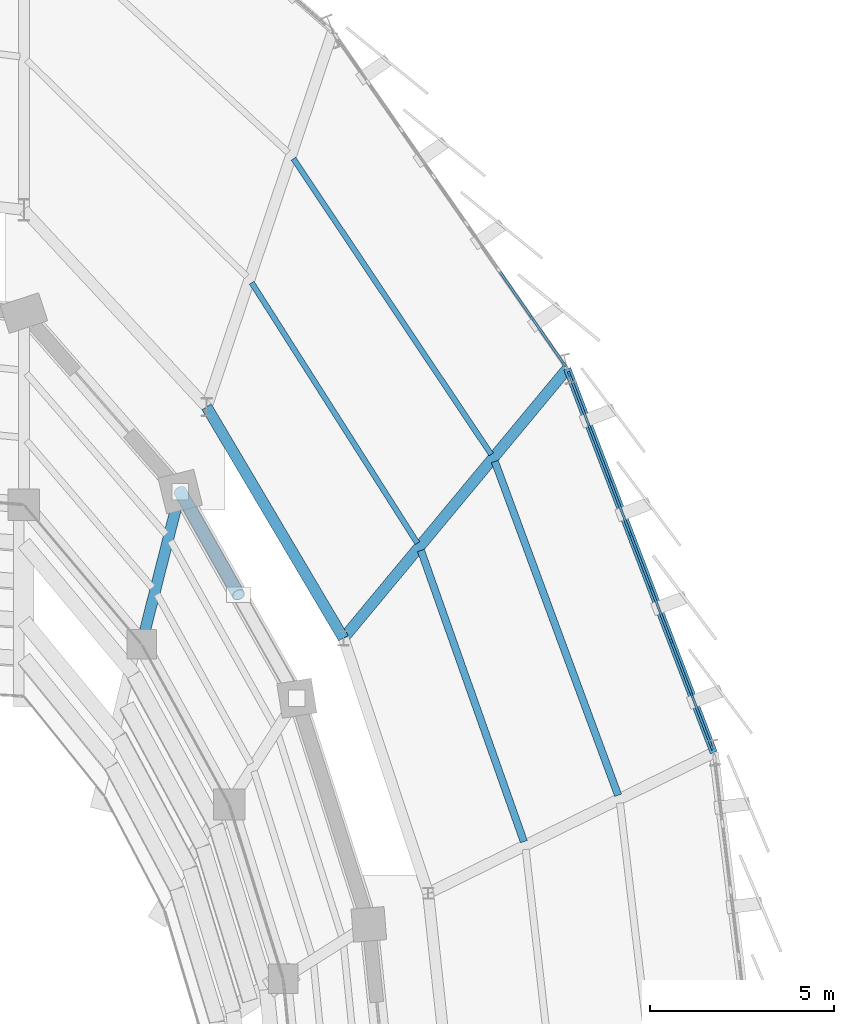
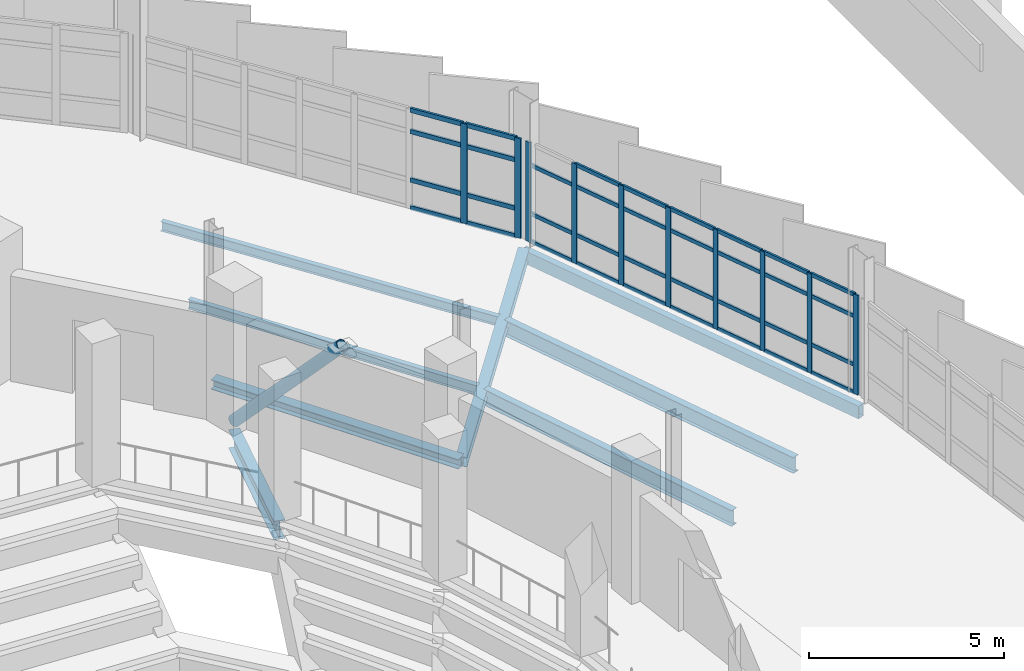
# One storey, part 74 of 134: 46 members, 8 beams, 2 elements without a shape of their own.
"""IFC4 building model written with IfcOpenShell, lengths in metres."""

import ifcopenshell
import ifcopenshell.guid

model = None  # the IFC model being written
_history = None  # IfcOwnerHistory: only IFC2X3 demands one
_inside = {}  # id of a spatial element -> (the spatial element, [elements in it])
_under = {}  # id of a project, library or spatial element -> (it, [spatial elements below it])
_declared = {}  # id of a project -> (the project, [libraries it declares])
_typed = {}  # id of a type object -> (the type object, [elements of that type])
_made_of = {}  # id of a material, layer set ... -> (it, [elements and type objects made of it])


def new_model(schema):
    """Start an empty IFC model of exactly this schema.

    Asked for "IFC4X3", IfcOpenShell would pick the latest addendum, in which some entities
    have other attributes; the version numbers below select the first issue.
    IFC2X3 requires an IfcOwnerHistory on every rooted entity: one is made here for all.
    """
    global model, _history
    if schema == "IFC4X3":
        model = ifcopenshell.file(schema_version=(4, 3, 0, 0))
    else:
        model = ifcopenshell.file(schema=schema)
    _inside.clear()
    _under.clear()
    _declared.clear()
    _typed.clear()
    _made_of.clear()
    _history = None
    if model.schema == "IFC2X3":
        org = make("IfcOrganization", Name="unknown")
        user = make(
            "IfcPersonAndOrganization",
            ThePerson=make("IfcPerson", FamilyName="unknown"),
            TheOrganization=org,
        )
        app = make(
            "IfcApplication",
            ApplicationDeveloper=org,
            Version="unknown",
            ApplicationFullName="unknown",
            ApplicationIdentifier="unknown",
        )
        _history = make(
            "IfcOwnerHistory",
            OwningUser=user,
            OwningApplication=app,
            ChangeAction="ADDED",
            CreationDate=0,
        )
    return model


def make(cls, **values):
    """One entity of the class cls with the attributes given. An attribute that is None is left unset."""
    return model.create_entity(
        cls, **{name: value for name, value in values.items() if value is not None}
    )


def rooted(cls, **values):
    """An entity with a GlobalId (a new one), such as an element, a storey or a relation."""
    return make(cls, GlobalId=ifcopenshell.guid.new(), OwnerHistory=_history, **values)


def si_unit(unit_type, name, prefix=None):
    """IfcSIUnit, for example si_unit("LENGTHUNIT", "METRE", prefix="MILLI")."""
    return make("IfcSIUnit", UnitType=unit_type, Prefix=prefix, Name=name)


def assignment(units):
    """IfcUnitAssignment: the units of a project."""
    return None if units is None else make("IfcUnitAssignment", Units=units)


def point(xyz):
    """IfcCartesianPoint."""
    return None if xyz is None else make("IfcCartesianPoint", Coordinates=xyz)


def direction(xyz):
    """IfcDirection."""
    return None if xyz is None else make("IfcDirection", DirectionRatios=xyz)


def frame(location, z_axis=None, x_axis=None):
    """IfcAxis2Placement3D, a coordinate frame: its origin and axes. An axis left out is left unset."""
    return make(
        "IfcAxis2Placement3D",
        Location=point(location),
        Axis=direction(z_axis),
        RefDirection=direction(x_axis),
    )


def frame_2d(location, x_axis=None):
    """IfcAxis2Placement2D, a coordinate frame in the plane: its origin and x axis."""
    return make(
        "IfcAxis2Placement2D", Location=point(location), RefDirection=direction(x_axis)
    )


def origin():
    """The frame at (0, 0, 0) with its axes left unset."""
    return frame((0.0, 0.0, 0.0))


def origin_2d():
    """The frame at (0, 0) in the plane with its x axis left unset."""
    return frame_2d((0.0, 0.0))


def place(relative_to, where):
    """IfcLocalPlacement: puts the frame where relative to a parent placement (None: the world)."""
    return make(
        "IfcLocalPlacement", PlacementRelTo=relative_to, RelativePlacement=where
    )


def context(
    kind, dimensions, precision=None, world=None, true_north=None, identifier=None
):
    """IfcGeometricRepresentationContext, for example the 3D "Model" context."""
    return make(
        "IfcGeometricRepresentationContext",
        ContextIdentifier=identifier,
        ContextType=kind,
        CoordinateSpaceDimension=dimensions,
        Precision=precision,
        WorldCoordinateSystem=world,
        TrueNorth=true_north,
    )


def subcontext(parent, identifier, kind, view, scale=None):
    """IfcGeometricRepresentationSubContext, for example "Body" below "Model"."""
    return make(
        "IfcGeometricRepresentationSubContext",
        ContextIdentifier=identifier,
        ContextType=kind,
        ParentContext=parent,
        TargetScale=scale,
        TargetView=view,
    )


def project(units=None, contexts=None):
    """IfcProject with its units and contexts."""
    return rooted(
        "IfcProject",
        Name="project",
        RepresentationContexts=contexts,
        UnitsInContext=assignment(units),
    )


def spatial(cls, under=None, at=None, **own):
    """A site, building, storey or space (cls), placed at a placement, below another one or the project."""
    s = rooted(cls, ObjectPlacement=at, **own)
    if under is not None:
        _under.setdefault(under.id(), (under, []))[1].append(s)
    return s


def profile(cls, at=None, kind="AREA", **sizes):
    """A parametric profile (cls). Its sizes go by their IFC names, for example OverallWidth=200.0."""
    return make(cls, ProfileType=kind, Position=at, **sizes)


def rectangle(**sizes):
    """IfcRectangleProfileDef."""
    return profile("IfcRectangleProfileDef", **sizes)


def hollow_rectangle(**sizes):
    """IfcRectangleHollowProfileDef."""
    return profile("IfcRectangleHollowProfileDef", **sizes)


def hollow_circle(**sizes):
    """IfcCircleHollowProfileDef."""
    return profile("IfcCircleHollowProfileDef", **sizes)


def i_section(**sizes):
    """IfcIShapeProfileDef."""
    return profile("IfcIShapeProfileDef", **sizes)


def extrude(swept, where, along, depth):
    """IfcExtrudedAreaSolid: the profile swept, set in the frame where, extruded along a direction by depth."""
    return make(
        "IfcExtrudedAreaSolid",
        SweptArea=swept,
        Position=where,
        ExtrudedDirection=direction(along),
        Depth=depth,
    )


def shape(context_of_items, identifier, shape_type, items):
    """IfcShapeRepresentation: the items that make up one representation, for example the "Body"."""
    return make(
        "IfcShapeRepresentation",
        ContextOfItems=context_of_items,
        RepresentationIdentifier=identifier,
        RepresentationType=shape_type,
        Items=items,
    )


def material(Name=None, Category=None):
    """IfcMaterial."""
    return make("IfcMaterial", Name=Name, Category=Category)


def layer(
    of_material, thickness, ventilated=None, Name=None, Category=None, Priority=None
):
    """IfcMaterialLayer: one layer of a wall or slab, of a material (None: an air gap)."""
    return make(
        "IfcMaterialLayer",
        Material=of_material,
        LayerThickness=thickness,
        IsVentilated=ventilated,
        Name=Name,
        Category=Category,
        Priority=Priority,
    )


def layer_set(layers, Name=None):
    """IfcMaterialLayerSet."""
    return make("IfcMaterialLayerSet", MaterialLayers=layers, LayerSetName=Name)


def material_profile(
    of_material, cross_section, Name=None, Category=None, Priority=None
):
    """IfcMaterialProfile: a cross section and its material."""
    return make(
        "IfcMaterialProfile",
        Name=Name,
        Material=of_material,
        Profile=cross_section,
        Priority=Priority,
        Category=Category,
    )


def profile_set(profiles, Name=None, composite=None):
    """IfcMaterialProfileSet."""
    return make(
        "IfcMaterialProfileSet",
        Name=Name,
        MaterialProfiles=profiles,
        CompositeProfile=composite,
    )


def made_of(thing, what):
    """Note that an element or type object is made of a material, layer set ...; save() writes the relation."""
    if what is not None:
        _made_of.setdefault(what.id(), (what, []))[1].append(thing)
    return thing


def type_object(cls, material=None, **own):
    """A type object (cls), such as IfcWallType, which elements share."""
    return made_of(rooted(cls, **own), material)


def element(
    cls,
    number,
    at=None,
    inside=None,
    cuts=None,
    type_object=None,
    material=None,
    context=None,
    identifier="Body",
    shape_type=None,
    held_by="IfcProductDefinitionShape",
    body=None,
    shapes=None,
    **own,
):
    """One element of the class cls, such as IfcWall. Its Tag is "e" and its number.

    at: its placement. inside: the storey or other place that contains it. cuts: it is an
    opening in that element (IfcRelVoidsElement). A single representation is given by context,
    identifier, shape_type and body (its items); several are given by shapes. held_by: the class
    of the entity that holds the representations. save() writes the other relations.
    """
    e = rooted(cls, Tag="e%d" % number, ObjectPlacement=at, **own)
    if body is not None:
        shapes = [shape(context, identifier, shape_type, body)]
    if shapes is not None:
        e.Representation = make(held_by, Representations=shapes)
    if inside is not None:
        _inside.setdefault(inside.id(), (inside, []))[1].append(e)
    if cuts is not None:
        rooted(
            "IfcRelVoidsElement", RelatingBuildingElement=cuts, RelatedOpeningElement=e
        )
    if type_object is not None:
        _typed.setdefault(type_object.id(), (type_object, []))[1].append(e)
    return made_of(e, material)


def aggregate(whole, parts):
    """IfcRelAggregates: a whole, such as a stair, and the parts it consists of."""
    return rooted("IfcRelAggregates", RelatingObject=whole, RelatedObjects=parts)


def save(model, path):
    """Write the relations noted so far, then the file.

    IfcRelAggregates (storeys below a building ...), IfcRelContainedInSpatialStructure (elements
    in a storey), IfcRelDefinesByType, IfcRelAssociatesMaterial and IfcRelDeclares: one each for
    every whole, place, type object, material and project.
    """
    for whole, parts in _under.values():
        aggregate(whole, parts)
    for where, things in _inside.values():
        rooted(
            "IfcRelContainedInSpatialStructure",
            RelatedElements=things,
            RelatingStructure=where,
        )
    for kind, things in _typed.values():
        rooted("IfcRelDefinesByType", RelatedObjects=things, RelatingType=kind)
    for what, things in _made_of.values():
        rooted("IfcRelAssociatesMaterial", RelatedObjects=things, RelatingMaterial=what)
    for by, libraries in _declared.values():
        rooted("IfcRelDeclares", RelatingContext=by, RelatedDefinitions=libraries)
    model.write(path)


model = new_model("IFC4")

# Units and contexts
model_context = context("Model", 3, precision=1e-05, world=origin(), true_north=direction((0.0, 1.0)))
body_context = subcontext(model_context, "Body", "Model", "MODEL_VIEW")
ifc_project = project(units=[si_unit("LENGTHUNIT", "METRE"), si_unit("AREAUNIT", "SQUARE_METRE"), si_unit("VOLUMEUNIT", "CUBIC_METRE"), si_unit("PLANEANGLEUNIT", "RADIAN"), si_unit("MASSUNIT", "GRAM", prefix="KILO")], contexts=[model_context])

# Site, building, storey
site_placement = place(None, origin())
site = spatial("IfcSite", under=ifc_project, at=site_placement, CompositionType="ELEMENT")
building_placement = place(site_placement, origin())
building = spatial("IfcBuilding", under=site, at=building_placement, Name="Sohan Crest Arena", CompositionType="ELEMENT")
storey_placement = place(building_placement, frame((0.0, 0.0, 4.5)))
storey = spatial("IfcBuildingStorey", under=building, at=storey_placement, Name="L01", CompositionType="ELEMENT", Elevation=4.5)

# Curtain wall, members
ifc_material_1 = material(Name="Thermally broken anodised aluminium", Category="aluminium")
ifc_layer_1 = layer(ifc_material_1, 0.179931640625, Name="Thermally broken anodised aluminium")
ifc_layer_set_1 = layer_set([ifc_layer_1], Name="Thermally broken anodised aluminium")
curtain_wall_type_1 = type_object("IfcCurtainWallType", Name="ARC-CW01", PredefinedType="NOTDEFINED", material=ifc_layer_set_1)
curtain_wall_1_placement = place(storey_placement, origin())
curtain_wall_1 = element("IfcCurtainWall", 1, at=curtain_wall_1_placement, inside=storey, type_object=curtain_wall_type_1, Name="Unitised curtain wall CW-040", PredefinedType="NOTDEFINED")
ifc_material_profile_1 = material_profile(ifc_material_1, rectangle(XDim=0.06005859375, YDim=0.159912109375, at=origin_2d()), Name="ALU-MULL 60x160")
ifc_profile_set_1 = profile_set([ifc_material_profile_1], Name="Thermally broken anodised aluminium")
member_type_1 = type_object("IfcMemberType", Name="ARC-CW-ML01", PredefinedType="MULLION", material=ifc_profile_set_1)
member_1_placement = place(storey_placement, frame((186.668212890625, 89.218994140625, 0.0), z_axis=(0.0, 0.0, 1.0), x_axis=(-0.934272328567, -0.356560255882, 0.0)))
member_1 = element("IfcMember", 2, at=member_1_placement, type_object=member_type_1, Name="CW-040 mullion 1", PredefinedType="MULLION", context=body_context, shape_type="SweptSolid", body=[
    extrude(rectangle(XDim=0.06005859375, YDim=0.159912109375, at=origin_2d()), origin(), (0.0, 0.0, 1.0), 3.1201171875),
])
member_2_placement = place(storey_placement, frame((186.1240234375, 90.644775390625, 0.0), z_axis=(0.0, 0.0, 1.0), x_axis=(-0.934272328567, -0.356560255882, 0.0)))
member_2 = element("IfcMember", 3, at=member_2_placement, type_object=member_type_1, Name="CW-040 mullion 2", PredefinedType="MULLION", context=body_context, shape_type="SweptSolid", body=[
    extrude(rectangle(XDim=0.06005859375, YDim=0.159912109375, at=origin_2d()), origin(), (0.0, 0.0, 1.0), 3.1201171875),
])
member_3_placement = place(storey_placement, frame((185.5693359375, 92.0986328125, 0.0), z_axis=(0.0, 0.0, 1.0), x_axis=(-0.934272328567, -0.356560255882, 0.0)))
member_3 = element("IfcMember", 4, at=member_3_placement, type_object=member_type_1, Name="CW-040 mullion 3", PredefinedType="MULLION", context=body_context, shape_type="SweptSolid", body=[
    extrude(rectangle(XDim=0.06005859375, YDim=0.159912109375, at=origin_2d()), origin(), (0.0, 0.0, 1.0), 3.1201171875),
])
member_4_placement = place(storey_placement, frame((185.014404296875, 93.552490234375, 0.0), z_axis=(0.0, 0.0, 1.0), x_axis=(-0.934272328567, -0.356560255882, 0.0)))
member_4 = element("IfcMember", 5, at=member_4_placement, type_object=member_type_1, Name="CW-040 mullion 4", PredefinedType="MULLION", context=body_context, shape_type="SweptSolid", body=[
    extrude(rectangle(XDim=0.06005859375, YDim=0.159912109375, at=origin_2d()), origin(), (0.0, 0.0, 1.0), 3.1201171875),
])
member_5_placement = place(storey_placement, frame((184.45947265625, 95.00634765625, 0.0), z_axis=(0.0, 0.0, 1.0), x_axis=(-0.934272328567, -0.356560255882, 0.0)))
member_5 = element("IfcMember", 6, at=member_5_placement, type_object=member_type_1, Name="CW-040 mullion 5", PredefinedType="MULLION", context=body_context, shape_type="SweptSolid", body=[
    extrude(rectangle(XDim=0.06005859375, YDim=0.159912109375, at=origin_2d()), origin(), (0.0, 0.0, 1.0), 3.1201171875),
])
member_6_placement = place(storey_placement, frame((183.90478515625, 96.460205078125, 0.0), z_axis=(0.0, 0.0, 1.0), x_axis=(-0.934272328567, -0.356560255882, 0.0)))
member_6 = element("IfcMember", 7, at=member_6_placement, type_object=member_type_1, Name="CW-040 mullion 6", PredefinedType="MULLION", context=body_context, shape_type="SweptSolid", body=[
    extrude(rectangle(XDim=0.06005859375, YDim=0.159912109375, at=origin_2d()), origin(), (0.0, 0.0, 1.0), 3.1201171875),
])
member_7_placement = place(storey_placement, frame((183.349853515625, 97.9140625, 0.0), z_axis=(0.0, 0.0, 1.0), x_axis=(-0.934272328567, -0.356560255882, 0.0)))
member_7 = element("IfcMember", 8, at=member_7_placement, type_object=member_type_1, Name="CW-040 mullion 7", PredefinedType="MULLION", context=body_context, shape_type="SweptSolid", body=[
    extrude(rectangle(XDim=0.06005859375, YDim=0.159912109375, at=origin_2d()), origin(), (0.0, 0.0, 1.0), 3.1201171875),
])
member_8_placement = place(storey_placement, frame((182.8056640625, 99.340087890625, 0.0), z_axis=(0.0, 0.0, 1.0), x_axis=(-0.934272328567, -0.356560255882, 0.0)))
member_8 = element("IfcMember", 9, at=member_8_placement, type_object=member_type_1, Name="CW-040 mullion 8", PredefinedType="MULLION", context=body_context, shape_type="SweptSolid", body=[
    extrude(rectangle(XDim=0.06005859375, YDim=0.159912109375, at=origin_2d()), origin(), (0.0, 0.0, 1.0), 3.1201171875),
])

ifc_layer_2 = layer(ifc_material_1, 0.199951171875, Name="Thermally broken anodised aluminium")
ifc_layer_set_2 = layer_set([ifc_layer_2], Name="Thermally broken anodised aluminium")
curtain_wall_type_2 = type_object("IfcCurtainWallType", Name="ARC-CW02", PredefinedType="NOTDEFINED", material=ifc_layer_set_2)
curtain_wall_2_placement = place(storey_placement, origin())
curtain_wall_2 = element("IfcCurtainWall", 10, at=curtain_wall_2_placement, inside=storey, type_object=curtain_wall_type_2, Name="Unitised curtain wall CW-041", PredefinedType="NOTDEFINED")
ifc_material_profile_2 = material_profile(ifc_material_1, rectangle(XDim=0.06494140625, YDim=0.179931640625, at=origin_2d()), Name="ALU-MULL 65x180")
ifc_profile_set_2 = profile_set([ifc_material_profile_2], Name="Thermally broken anodised aluminium")
member_type_2 = type_object("IfcMemberType", Name="ARC-CW-ML02", PredefinedType="MULLION", material=ifc_profile_set_2)
member_9_placement = place(storey_placement, frame((182.656494140625, 99.622802734375, 0.0), z_axis=(0.0, 0.0, 1.0), x_axis=(-0.821013728019, -0.570908450107, 0.0)))
member_9 = element("IfcMember", 11, at=member_9_placement, type_object=member_type_2, Name="CW-041 mullion 1", PredefinedType="MULLION", context=body_context, shape_type="SweptSolid", body=[
    extrude(rectangle(XDim=0.06494140625, YDim=0.179931640625, at=origin_2d()), origin(), (0.0, 0.0, 1.0), 3.1201171875),
])
member_10_placement = place(storey_placement, frame((181.78662109375, 100.87353515625, 0.0), z_axis=(0.0, 0.0, 1.0), x_axis=(-0.821013728019, -0.570908450107, 0.0)))
member_10 = element("IfcMember", 12, at=member_10_placement, type_object=member_type_2, Name="CW-041 mullion 2", PredefinedType="MULLION", context=body_context, shape_type="SweptSolid", body=[
    extrude(rectangle(XDim=0.06494140625, YDim=0.179931640625, at=origin_2d()), origin(), (0.0, 0.0, 1.0), 3.1201171875),
])

# Member
ifc_material_profile_3 = material_profile(ifc_material_1, rectangle(XDim=0.06005859375, YDim=0.1201171875, at=origin_2d()), Name="ALU-TRAN 60x120")
ifc_profile_set_3 = profile_set([ifc_material_profile_3], Name="Thermally broken anodised aluminium")
member_type_3 = type_object("IfcMemberType", Name="ARC-CW-TR01", PredefinedType="USERDEFINED", material=ifc_profile_set_3)
member_11_placement = place(storey_placement, frame((186.65771484375, 89.2470703125, 0.030029296875), z_axis=(-0.356646080536, 0.93423956951, 0.0), x_axis=(-0.93423956951, -0.356646080536, 0.0)))
member_11 = element("IfcMember", 13, at=member_11_placement, type_object=member_type_3, Name="CW-040 transom 1.1", ObjectType="TRANSOM", PredefinedType="USERDEFINED", context=body_context, shape_type="SweptSolid", body=[
    extrude(rectangle(XDim=0.06005859375, YDim=0.1201171875, at=origin_2d()), origin(), (0.0, 0.0, 1.0), 1.46630859375),
])

member_12_placement = place(storey_placement, frame((186.65771484375, 89.2470703125, 0.89990234375), z_axis=(-0.356646080536, 0.93423956951, 0.0), x_axis=(-0.93423956951, -0.356646080536, 0.0)))
member_12 = element("IfcMember", 14, at=member_12_placement, type_object=member_type_3, Name="CW-040 transom 1.2", ObjectType="TRANSOM", PredefinedType="USERDEFINED", context=body_context, shape_type="SweptSolid", body=[
    extrude(rectangle(XDim=0.06005859375, YDim=0.1201171875, at=origin_2d()), origin(), (0.0, 0.0, 1.0), 1.46630859375),
])

member_13_placement = place(storey_placement, frame((186.65771484375, 89.2470703125, 2.419921875), z_axis=(-0.356646080536, 0.93423956951, 0.0), x_axis=(-0.93423956951, -0.356646080536, 0.0)))
member_13 = element("IfcMember", 15, at=member_13_placement, type_object=member_type_3, Name="CW-040 transom 1.3", ObjectType="TRANSOM", PredefinedType="USERDEFINED", context=body_context, shape_type="SweptSolid", body=[
    extrude(rectangle(XDim=0.06005859375, YDim=0.1201171875, at=origin_2d()), origin(), (0.0, 0.0, 1.0), 1.46630859375),
])

member_14_placement = place(storey_placement, frame((186.65771484375, 89.2470703125, 3.090087890625), z_axis=(-0.356646080536, 0.93423956951, 0.0), x_axis=(-0.93423956951, -0.356646080536, 0.0)))
member_14 = element("IfcMember", 16, at=member_14_placement, type_object=member_type_3, Name="CW-040 transom 1.4", ObjectType="TRANSOM", PredefinedType="USERDEFINED", context=body_context, shape_type="SweptSolid", body=[
    extrude(rectangle(XDim=0.06005859375, YDim=0.1201171875, at=origin_2d()), origin(), (0.0, 0.0, 1.0), 1.46630859375),
])

member_15_placement = place(storey_placement, frame((186.113525390625, 90.6728515625, 0.030029296875), z_axis=(-0.35651772628, 0.934288558663, 0.0), x_axis=(-0.934288558663, -0.35651772628, 0.0)))
member_15 = element("IfcMember", 17, at=member_15_placement, type_object=member_type_3, Name="CW-040 transom 2.1", ObjectType="TRANSOM", PredefinedType="USERDEFINED", context=body_context, shape_type="SweptSolid", body=[
    extrude(rectangle(XDim=0.06005859375, YDim=0.1201171875, at=origin_2d()), origin(), (0.0, 0.0, 1.0), 1.496337890625),
])

member_16_placement = place(storey_placement, frame((186.113525390625, 90.6728515625, 0.89990234375), z_axis=(-0.35651772628, 0.934288558663, 0.0), x_axis=(-0.934288558663, -0.35651772628, 0.0)))
member_16 = element("IfcMember", 18, at=member_16_placement, type_object=member_type_3, Name="CW-040 transom 2.2", ObjectType="TRANSOM", PredefinedType="USERDEFINED", context=body_context, shape_type="SweptSolid", body=[
    extrude(rectangle(XDim=0.06005859375, YDim=0.1201171875, at=origin_2d()), origin(), (0.0, 0.0, 1.0), 1.496337890625),
])

member_17_placement = place(storey_placement, frame((186.113525390625, 90.6728515625, 2.419921875), z_axis=(-0.35651772628, 0.934288558663, 0.0), x_axis=(-0.934288558663, -0.35651772628, 0.0)))
member_17 = element("IfcMember", 19, at=member_17_placement, type_object=member_type_3, Name="CW-040 transom 2.3", ObjectType="TRANSOM", PredefinedType="USERDEFINED", context=body_context, shape_type="SweptSolid", body=[
    extrude(rectangle(XDim=0.06005859375, YDim=0.1201171875, at=origin_2d()), origin(), (0.0, 0.0, 1.0), 1.496337890625),
])

member_18_placement = place(storey_placement, frame((186.113525390625, 90.6728515625, 3.090087890625), z_axis=(-0.35651772628, 0.934288558663, 0.0), x_axis=(-0.934288558663, -0.35651772628, 0.0)))
member_18 = element("IfcMember", 20, at=member_18_placement, type_object=member_type_3, Name="CW-040 transom 2.4", ObjectType="TRANSOM", PredefinedType="USERDEFINED", context=body_context, shape_type="SweptSolid", body=[
    extrude(rectangle(XDim=0.06005859375, YDim=0.1201171875, at=origin_2d()), origin(), (0.0, 0.0, 1.0), 1.496337890625),
])

member_19_placement = place(storey_placement, frame((185.55859375, 92.126708984375, 0.030029296875), z_axis=(-0.35651772628, 0.934288558663, 0.0), x_axis=(-0.934288558663, -0.35651772628, 0.0)))
member_19 = element("IfcMember", 21, at=member_19_placement, type_object=member_type_3, Name="CW-040 transom 3.1", ObjectType="TRANSOM", PredefinedType="USERDEFINED", context=body_context, shape_type="SweptSolid", body=[
    extrude(rectangle(XDim=0.06005859375, YDim=0.1201171875, at=origin_2d()), origin(), (0.0, 0.0, 1.0), 1.496337890625),
])

member_20_placement = place(storey_placement, frame((185.55859375, 92.126708984375, 0.89990234375), z_axis=(-0.35651772628, 0.934288558663, 0.0), x_axis=(-0.934288558663, -0.35651772628, 0.0)))
member_20 = element("IfcMember", 22, at=member_20_placement, type_object=member_type_3, Name="CW-040 transom 3.2", ObjectType="TRANSOM", PredefinedType="USERDEFINED", context=body_context, shape_type="SweptSolid", body=[
    extrude(rectangle(XDim=0.06005859375, YDim=0.1201171875, at=origin_2d()), origin(), (0.0, 0.0, 1.0), 1.496337890625),
])

member_21_placement = place(storey_placement, frame((185.55859375, 92.126708984375, 2.419921875), z_axis=(-0.35651772628, 0.934288558663, 0.0), x_axis=(-0.934288558663, -0.35651772628, 0.0)))
member_21 = element("IfcMember", 23, at=member_21_placement, type_object=member_type_3, Name="CW-040 transom 3.3", ObjectType="TRANSOM", PredefinedType="USERDEFINED", context=body_context, shape_type="SweptSolid", body=[
    extrude(rectangle(XDim=0.06005859375, YDim=0.1201171875, at=origin_2d()), origin(), (0.0, 0.0, 1.0), 1.496337890625),
])

member_22_placement = place(storey_placement, frame((185.55859375, 92.126708984375, 3.090087890625), z_axis=(-0.35651772628, 0.934288558663, 0.0), x_axis=(-0.934288558663, -0.35651772628, 0.0)))
member_22 = element("IfcMember", 24, at=member_22_placement, type_object=member_type_3, Name="CW-040 transom 3.4", ObjectType="TRANSOM", PredefinedType="USERDEFINED", context=body_context, shape_type="SweptSolid", body=[
    extrude(rectangle(XDim=0.06005859375, YDim=0.1201171875, at=origin_2d()), origin(), (0.0, 0.0, 1.0), 1.496337890625),
])

member_23_placement = place(storey_placement, frame((185.003662109375, 93.58056640625, 0.030029296875), z_axis=(-0.35651772628, 0.934288558663, 0.0), x_axis=(-0.934288558663, -0.35651772628, 0.0)))
member_23 = element("IfcMember", 25, at=member_23_placement, type_object=member_type_3, Name="CW-040 transom 4.1", ObjectType="TRANSOM", PredefinedType="USERDEFINED", context=body_context, shape_type="SweptSolid", body=[
    extrude(rectangle(XDim=0.06005859375, YDim=0.1201171875, at=origin_2d()), origin(), (0.0, 0.0, 1.0), 1.496337890625),
])

member_24_placement = place(storey_placement, frame((185.003662109375, 93.58056640625, 0.89990234375), z_axis=(-0.35651772628, 0.934288558663, 0.0), x_axis=(-0.934288558663, -0.35651772628, 0.0)))
member_24 = element("IfcMember", 26, at=member_24_placement, type_object=member_type_3, Name="CW-040 transom 4.2", ObjectType="TRANSOM", PredefinedType="USERDEFINED", context=body_context, shape_type="SweptSolid", body=[
    extrude(rectangle(XDim=0.06005859375, YDim=0.1201171875, at=origin_2d()), origin(), (0.0, 0.0, 1.0), 1.496337890625),
])

member_25_placement = place(storey_placement, frame((185.003662109375, 93.58056640625, 2.419921875), z_axis=(-0.35651772628, 0.934288558663, 0.0), x_axis=(-0.934288558663, -0.35651772628, 0.0)))
member_25 = element("IfcMember", 27, at=member_25_placement, type_object=member_type_3, Name="CW-040 transom 4.3", ObjectType="TRANSOM", PredefinedType="USERDEFINED", context=body_context, shape_type="SweptSolid", body=[
    extrude(rectangle(XDim=0.06005859375, YDim=0.1201171875, at=origin_2d()), origin(), (0.0, 0.0, 1.0), 1.496337890625),
])

member_26_placement = place(storey_placement, frame((185.003662109375, 93.58056640625, 3.090087890625), z_axis=(-0.35651772628, 0.934288558663, 0.0), x_axis=(-0.934288558663, -0.35651772628, 0.0)))
member_26 = element("IfcMember", 28, at=member_26_placement, type_object=member_type_3, Name="CW-040 transom 4.4", ObjectType="TRANSOM", PredefinedType="USERDEFINED", context=body_context, shape_type="SweptSolid", body=[
    extrude(rectangle(XDim=0.06005859375, YDim=0.1201171875, at=origin_2d()), origin(), (0.0, 0.0, 1.0), 1.496337890625),
])

member_27_placement = place(storey_placement, frame((184.448974609375, 95.034423828125, 0.030029296875), z_axis=(-0.35651772628, 0.934288558663, 0.0), x_axis=(-0.934288558663, -0.35651772628, 0.0)))
member_27 = element("IfcMember", 29, at=member_27_placement, type_object=member_type_3, Name="CW-040 transom 5.1", ObjectType="TRANSOM", PredefinedType="USERDEFINED", context=body_context, shape_type="SweptSolid", body=[
    extrude(rectangle(XDim=0.06005859375, YDim=0.1201171875, at=origin_2d()), origin(), (0.0, 0.0, 1.0), 1.496337890625),
])

member_28_placement = place(storey_placement, frame((184.448974609375, 95.034423828125, 0.89990234375), z_axis=(-0.35651772628, 0.934288558663, 0.0), x_axis=(-0.934288558663, -0.35651772628, 0.0)))
member_28 = element("IfcMember", 30, at=member_28_placement, type_object=member_type_3, Name="CW-040 transom 5.2", ObjectType="TRANSOM", PredefinedType="USERDEFINED", context=body_context, shape_type="SweptSolid", body=[
    extrude(rectangle(XDim=0.06005859375, YDim=0.1201171875, at=origin_2d()), origin(), (0.0, 0.0, 1.0), 1.496337890625),
])

member_29_placement = place(storey_placement, frame((184.448974609375, 95.034423828125, 2.419921875), z_axis=(-0.35651772628, 0.934288558663, 0.0), x_axis=(-0.934288558663, -0.35651772628, 0.0)))
member_29 = element("IfcMember", 31, at=member_29_placement, type_object=member_type_3, Name="CW-040 transom 5.3", ObjectType="TRANSOM", PredefinedType="USERDEFINED", context=body_context, shape_type="SweptSolid", body=[
    extrude(rectangle(XDim=0.06005859375, YDim=0.1201171875, at=origin_2d()), origin(), (0.0, 0.0, 1.0), 1.496337890625),
])

member_30_placement = place(storey_placement, frame((184.448974609375, 95.034423828125, 3.090087890625), z_axis=(-0.35651772628, 0.934288558663, 0.0), x_axis=(-0.934288558663, -0.35651772628, 0.0)))
member_30 = element("IfcMember", 32, at=member_30_placement, type_object=member_type_3, Name="CW-040 transom 5.4", ObjectType="TRANSOM", PredefinedType="USERDEFINED", context=body_context, shape_type="SweptSolid", body=[
    extrude(rectangle(XDim=0.06005859375, YDim=0.1201171875, at=origin_2d()), origin(), (0.0, 0.0, 1.0), 1.496337890625),
])

member_31_placement = place(storey_placement, frame((183.89404296875, 96.48828125, 0.030029296875), z_axis=(-0.35651772628, 0.934288558663, 0.0), x_axis=(-0.934288558663, -0.35651772628, 0.0)))
member_31 = element("IfcMember", 33, at=member_31_placement, type_object=member_type_3, Name="CW-040 transom 6.1", ObjectType="TRANSOM", PredefinedType="USERDEFINED", context=body_context, shape_type="SweptSolid", body=[
    extrude(rectangle(XDim=0.06005859375, YDim=0.1201171875, at=origin_2d()), origin(), (0.0, 0.0, 1.0), 1.496337890625),
])

member_32_placement = place(storey_placement, frame((183.89404296875, 96.48828125, 0.89990234375), z_axis=(-0.35651772628, 0.934288558663, 0.0), x_axis=(-0.934288558663, -0.35651772628, 0.0)))
member_32 = element("IfcMember", 34, at=member_32_placement, type_object=member_type_3, Name="CW-040 transom 6.2", ObjectType="TRANSOM", PredefinedType="USERDEFINED", context=body_context, shape_type="SweptSolid", body=[
    extrude(rectangle(XDim=0.06005859375, YDim=0.1201171875, at=origin_2d()), origin(), (0.0, 0.0, 1.0), 1.496337890625),
])

member_33_placement = place(storey_placement, frame((183.89404296875, 96.48828125, 2.419921875), z_axis=(-0.35651772628, 0.934288558663, 0.0), x_axis=(-0.934288558663, -0.35651772628, 0.0)))
member_33 = element("IfcMember", 35, at=member_33_placement, type_object=member_type_3, Name="CW-040 transom 6.3", ObjectType="TRANSOM", PredefinedType="USERDEFINED", context=body_context, shape_type="SweptSolid", body=[
    extrude(rectangle(XDim=0.06005859375, YDim=0.1201171875, at=origin_2d()), origin(), (0.0, 0.0, 1.0), 1.496337890625),
])

member_34_placement = place(storey_placement, frame((183.89404296875, 96.48828125, 3.090087890625), z_axis=(-0.35651772628, 0.934288558663, 0.0), x_axis=(-0.934288558663, -0.35651772628, 0.0)))
member_34 = element("IfcMember", 36, at=member_34_placement, type_object=member_type_3, Name="CW-040 transom 6.4", ObjectType="TRANSOM", PredefinedType="USERDEFINED", context=body_context, shape_type="SweptSolid", body=[
    extrude(rectangle(XDim=0.06005859375, YDim=0.1201171875, at=origin_2d()), origin(), (0.0, 0.0, 1.0), 1.496337890625),
])

member_35_placement = place(storey_placement, frame((183.339111328125, 97.942138671875, 0.030029296875), z_axis=(-0.356500744543, 0.934295038594, 0.0), x_axis=(-0.934295038594, -0.356500744543, 0.0)))
member_35 = element("IfcMember", 37, at=member_35_placement, type_object=member_type_3, Name="CW-040 transom 7.1", ObjectType="TRANSOM", PredefinedType="USERDEFINED", context=body_context, shape_type="SweptSolid", body=[
    extrude(rectangle(XDim=0.06005859375, YDim=0.1201171875, at=origin_2d()), origin(), (0.0, 0.0, 1.0), 1.46630859375),
])

member_36_placement = place(storey_placement, frame((183.339111328125, 97.942138671875, 0.89990234375), z_axis=(-0.356500744543, 0.934295038594, 0.0), x_axis=(-0.934295038594, -0.356500744543, 0.0)))
member_36 = element("IfcMember", 38, at=member_36_placement, type_object=member_type_3, Name="CW-040 transom 7.2", ObjectType="TRANSOM", PredefinedType="USERDEFINED", context=body_context, shape_type="SweptSolid", body=[
    extrude(rectangle(XDim=0.06005859375, YDim=0.1201171875, at=origin_2d()), origin(), (0.0, 0.0, 1.0), 1.46630859375),
])

member_37_placement = place(storey_placement, frame((183.339111328125, 97.942138671875, 2.419921875), z_axis=(-0.356500744543, 0.934295038594, 0.0), x_axis=(-0.934295038594, -0.356500744543, 0.0)))
member_37 = element("IfcMember", 39, at=member_37_placement, type_object=member_type_3, Name="CW-040 transom 7.3", ObjectType="TRANSOM", PredefinedType="USERDEFINED", context=body_context, shape_type="SweptSolid", body=[
    extrude(rectangle(XDim=0.06005859375, YDim=0.1201171875, at=origin_2d()), origin(), (0.0, 0.0, 1.0), 1.46630859375),
])

aggregate(curtain_wall_1, [member_1, member_2, member_3, member_4, member_5, member_6, member_7, member_8, member_11, member_12, member_13, member_14, member_15, member_16, member_17, member_18, member_19, member_20, member_21, member_22, member_23, member_24, member_25, member_26, member_27, member_28, member_29, member_30, member_31, member_32, member_33, member_34, member_35, member_36, member_37])

ifc_material_profile_4 = material_profile(ifc_material_1, rectangle(XDim=0.06494140625, YDim=0.139892578125, at=origin_2d()), Name="ALU-TRAN 65x140")
ifc_profile_set_4 = profile_set([ifc_material_profile_4], Name="Thermally broken anodised aluminium")
member_type_4 = type_object("IfcMemberType", Name="ARC-CW-TR02", PredefinedType="USERDEFINED", material=ifc_profile_set_4)
member_38_placement = place(storey_placement, frame((182.637939453125, 99.6494140625, 0.032470703125), z_axis=(-0.571010534255, 0.820942732333, 0.0), x_axis=(-0.820942732333, -0.571010534255, 0.0)))
member_38 = element("IfcMember", 40, at=member_38_placement, type_object=member_type_4, Name="CW-041 transom 1.1", ObjectType="TRANSOM", PredefinedType="USERDEFINED", context=body_context, shape_type="SweptSolid", body=[
    extrude(rectangle(XDim=0.06494140625, YDim=0.139892578125, at=origin_2d()), origin(), (0.0, 0.0, 1.0), 1.45849609375),
])

member_39_placement = place(storey_placement, frame((182.637939453125, 99.6494140625, 0.89990234375), z_axis=(-0.571010534255, 0.820942732333, 0.0), x_axis=(-0.820942732333, -0.571010534255, 0.0)))
member_39 = element("IfcMember", 41, at=member_39_placement, type_object=member_type_4, Name="CW-041 transom 1.2", ObjectType="TRANSOM", PredefinedType="USERDEFINED", context=body_context, shape_type="SweptSolid", body=[
    extrude(rectangle(XDim=0.06494140625, YDim=0.139892578125, at=origin_2d()), origin(), (0.0, 0.0, 1.0), 1.45849609375),
])

member_40_placement = place(storey_placement, frame((182.637939453125, 99.6494140625, 2.419921875), z_axis=(-0.571010534255, 0.820942732333, 0.0), x_axis=(-0.820942732333, -0.571010534255, 0.0)))
member_40 = element("IfcMember", 42, at=member_40_placement, type_object=member_type_4, Name="CW-041 transom 1.3", ObjectType="TRANSOM", PredefinedType="USERDEFINED", context=body_context, shape_type="SweptSolid", body=[
    extrude(rectangle(XDim=0.06494140625, YDim=0.139892578125, at=origin_2d()), origin(), (0.0, 0.0, 1.0), 1.45849609375),
])

member_41_placement = place(storey_placement, frame((182.637939453125, 99.6494140625, 3.08740234375), z_axis=(-0.571010534255, 0.820942732333, 0.0), x_axis=(-0.820942732333, -0.571010534255, 0.0)))
member_41 = element("IfcMember", 43, at=member_41_placement, type_object=member_type_4, Name="CW-041 transom 1.4", ObjectType="TRANSOM", PredefinedType="USERDEFINED", context=body_context, shape_type="SweptSolid", body=[
    extrude(rectangle(XDim=0.06494140625, YDim=0.139892578125, at=origin_2d()), origin(), (0.0, 0.0, 1.0), 1.45849609375),
])

member_42_placement = place(storey_placement, frame((181.76806640625, 100.900146484375, 0.032470703125), z_axis=(-0.570843765752, 0.82105870381, 0.0), x_axis=(-0.82105870381, -0.570843765752, 0.0)))
member_42 = element("IfcMember", 44, at=member_42_placement, type_object=member_type_4, Name="CW-041 transom 2.1", ObjectType="TRANSOM", PredefinedType="USERDEFINED", context=body_context, shape_type="SweptSolid", body=[
    extrude(rectangle(XDim=0.06494140625, YDim=0.139892578125, at=origin_2d()), origin(), (0.0, 0.0, 1.0), 1.490966796875),
])

member_43_placement = place(storey_placement, frame((181.76806640625, 100.900146484375, 0.89990234375), z_axis=(-0.570843765752, 0.82105870381, 0.0), x_axis=(-0.82105870381, -0.570843765752, 0.0)))
member_43 = element("IfcMember", 45, at=member_43_placement, type_object=member_type_4, Name="CW-041 transom 2.2", ObjectType="TRANSOM", PredefinedType="USERDEFINED", context=body_context, shape_type="SweptSolid", body=[
    extrude(rectangle(XDim=0.06494140625, YDim=0.139892578125, at=origin_2d()), origin(), (0.0, 0.0, 1.0), 1.490966796875),
])

member_44_placement = place(storey_placement, frame((181.76806640625, 100.900146484375, 2.419921875), z_axis=(-0.570843765752, 0.82105870381, 0.0), x_axis=(-0.82105870381, -0.570843765752, 0.0)))
member_44 = element("IfcMember", 46, at=member_44_placement, type_object=member_type_4, Name="CW-041 transom 2.3", ObjectType="TRANSOM", PredefinedType="USERDEFINED", context=body_context, shape_type="SweptSolid", body=[
    extrude(rectangle(XDim=0.06494140625, YDim=0.139892578125, at=origin_2d()), origin(), (0.0, 0.0, 1.0), 1.490966796875),
])

member_45_placement = place(storey_placement, frame((181.76806640625, 100.900146484375, 3.08740234375), z_axis=(-0.570843765752, 0.82105870381, 0.0), x_axis=(-0.82105870381, -0.570843765752, 0.0)))
member_45 = element("IfcMember", 47, at=member_45_placement, type_object=member_type_4, Name="CW-041 transom 2.4", ObjectType="TRANSOM", PredefinedType="USERDEFINED", context=body_context, shape_type="SweptSolid", body=[
    extrude(rectangle(XDim=0.06494140625, YDim=0.139892578125, at=origin_2d()), origin(), (0.0, 0.0, 1.0), 1.490966796875),
])

aggregate(curtain_wall_2, [member_9, member_10, member_38, member_39, member_40, member_41, member_42, member_43, member_44, member_45])

# Beams
ifc_material_2 = material(Name="Steel S355", Category="steel")
ifc_material_profile_5 = material_profile(ifc_material_2, i_section(OverallWidth=0.14990234375, OverallDepth=0.300048828125, WebThickness=0.007080078125, FlangeThickness=0.0107421875, at=origin_2d()), Name="IPE 300")
ifc_profile_set_5 = profile_set([ifc_material_profile_5], Name="Steel S355")
beam_type_1 = type_object("IfcBeamType", Name="STR-BM-B01", PredefinedType="JOIST", material=ifc_profile_set_5)
beam_1_placement = place(storey_placement, frame((178.679931640625, 94.7548828125, -0.425048828125), z_axis=(-0.536679400997, 0.843786241027, 0.0), x_axis=(-0.843786241027, -0.536679400997, 0.0)))
element("IfcBeam", 48, at=beam_1_placement, inside=storey, type_object=beam_type_1, Name="Structural beam J-L01-1205", PredefinedType="JOIST", context=body_context, shape_type="SweptSolid", body=[
    extrude(i_section(OverallWidth=0.14990234375, OverallDepth=0.300048828125, WebThickness=0.007080078125, FlangeThickness=0.0107421875, at=origin_2d()), origin(), (0.0, 0.0, 1.0), 8.37890625),
])
beam_2_placement = place(storey_placement, frame((180.68310546875, 97.166015625, -0.425048828125), z_axis=(-0.556006645923, 0.831177844802, 0.0), x_axis=(-0.831177844802, -0.556006645923, 0.0)))
element("IfcBeam", 49, at=beam_2_placement, inside=storey, type_object=beam_type_1, Name="Structural beam J-L01-1206", PredefinedType="JOIST", context=body_context, shape_type="SweptSolid", body=[
    extrude(i_section(OverallWidth=0.14990234375, OverallDepth=0.300048828125, WebThickness=0.007080078125, FlangeThickness=0.0107421875, at=origin_2d()), origin(), (0.0, 0.0, 1.0), 9.65478515625),
])
ifc_material_profile_6 = material_profile(ifc_material_2, i_section(OverallWidth=0.199951171875, OverallDepth=0.5, WebThickness=0.01025390625, FlangeThickness=0.01611328125, at=origin_2d()), Name="IPE 500")
ifc_profile_set_6 = profile_set([ifc_material_profile_6], Name="Steel S355")
beam_type_2 = type_object("IfcBeamType", Name="STR-BM-B05", PredefinedType="JOIST", material=ifc_profile_set_6)
beam_3_placement = place(storey_placement, frame((181.571044921875, 86.654052734375, -0.52490234375), z_axis=(-0.333403454645, 0.942784247021, 0.0), x_axis=(-0.942784247021, -0.333403454645, 0.0)))
element("IfcBeam", 50, at=beam_3_placement, inside=storey, type_object=beam_type_2, Name="Structural beam J-L01-1200", PredefinedType="JOIST", context=body_context, shape_type="SweptSolid", body=[
    extrude(i_section(OverallWidth=0.199951171875, OverallDepth=0.5, WebThickness=0.01025390625, FlangeThickness=0.01611328125, at=origin_2d()), origin(), (0.0, 0.0, 1.0), 8.3837890625),
])
beam_4_placement = place(storey_placement, frame((184.12890625, 87.9130859375, -0.52490234375), z_axis=(-0.346567455642, 0.938025052272, 0.0), x_axis=(-0.938025052272, -0.346567455642, 0.0)))
element("IfcBeam", 51, at=beam_4_placement, inside=storey, type_object=beam_type_2, Name="Structural beam J-L01-1201", PredefinedType="JOIST", context=body_context, shape_type="SweptSolid", body=[
    extrude(i_section(OverallWidth=0.199951171875, OverallDepth=0.5, WebThickness=0.01025390625, FlangeThickness=0.01611328125, at=origin_2d()), origin(), (0.0, 0.0, 1.0), 9.657470703125),
])
ifc_material_profile_7 = material_profile(ifc_material_2, i_section(OverallWidth=0.300048828125, OverallDepth=0.590087890625, WebThickness=0.012939453125, FlangeThickness=0.02490234375, at=origin_2d()), Name="HEA 600")
ifc_profile_set_7 = profile_set([ifc_material_profile_7], Name="Steel S355")
beam_type_3 = type_object("IfcBeamType", Name="STR-BM-B11", PredefinedType="BEAM", material=ifc_profile_set_7)
beam_5_placement = place(storey_placement, frame((171.194091796875, 92.011962890625, -0.544921875), z_axis=(0.245465367753, 0.969405360638, 0.0), x_axis=(-0.969405360638, 0.245465367753, 0.0)))
element("IfcBeam", 52, at=beam_5_placement, inside=storey, type_object=beam_type_3, Name="Structural beam G-L01-0644", PredefinedType="BEAM", context=body_context, shape_type="SweptSolid", body=[
    extrude(i_section(OverallWidth=0.300048828125, OverallDepth=0.590087890625, WebThickness=0.012939453125, FlangeThickness=0.02490234375, at=origin_2d()), origin(), (0.0, 0.0, 1.0), 4.272705078125),
])
ifc_material_profile_8 = material_profile(ifc_material_2, i_section(OverallWidth=0.300048828125, OverallDepth=0.300048828125, WebThickness=0.010986328125, FlangeThickness=0.01904296875, at=origin_2d()), Name="HEB 300")
ifc_profile_set_8 = profile_set([ifc_material_profile_8], Name="Steel S355")
beam_type_4 = type_object("IfcBeamType", Name="STR-BM-B12", PredefinedType="BEAM", material=ifc_profile_set_8)
beam_6_placement = place(storey_placement, frame((176.674072265625, 92.175048828125, -0.425048828125), z_axis=(0.638940924568, 0.7692558059, 0.0), x_axis=(-0.7692558059, 0.638940924568, 0.0)))
element("IfcBeam", 53, at=beam_6_placement, inside=storey, type_object=beam_type_4, Name="Structural beam G-L01-1202", PredefinedType="BEAM", context=body_context, shape_type="SweptSolid", body=[
    extrude(i_section(OverallWidth=0.300048828125, OverallDepth=0.300048828125, WebThickness=0.010986328125, FlangeThickness=0.01904296875, at=origin_2d()), origin(), (0.0, 0.0, 1.0), 9.5078125),
])
beam_7_placement = place(storey_placement, frame((176.674072265625, 92.175048828125, -0.425048828125), z_axis=(-0.509085626747, 0.860715879161, 0.0), x_axis=(-0.860715879161, -0.509085626747, 0.0)))
element("IfcBeam", 54, at=beam_7_placement, inside=storey, type_object=beam_type_4, Name="Structural beam G-L01-1203", PredefinedType="BEAM", context=body_context, shape_type="SweptSolid", body=[
    extrude(i_section(OverallWidth=0.300048828125, OverallDepth=0.300048828125, WebThickness=0.010986328125, FlangeThickness=0.01904296875, at=origin_2d()), origin(), (0.0, 0.0, 1.0), 7.293701171875),
])
ifc_material_profile_9 = material_profile(ifc_material_2, hollow_rectangle(XDim=0.199951171875, YDim=0.39990234375, WallThickness=0.012451171875, at=origin_2d()), Name="RHS 400x200x12.5")
ifc_profile_set_9 = profile_set([ifc_material_profile_9], Name="Steel S355")
beam_type_5 = type_object("IfcBeamType", Name="STR-BM-SP05", PredefinedType="SPANDREL", material=ifc_profile_set_9)
beam_8_placement = place(storey_placement, frame((186.72509765625, 89.070068359375, -0.47509765625), z_axis=(-0.356539672716, 0.934280183767, 0.0), x_axis=(-0.934280183767, -0.356539672716, 0.0)))
element("IfcBeam", 55, at=beam_8_placement, inside=storey, type_object=beam_type_5, Name="Structural beam SP-L01-1199", PredefinedType="SPANDREL", context=body_context, shape_type="SweptSolid", body=[
    extrude(hollow_rectangle(XDim=0.199951171875, YDim=0.39990234375, WallThickness=0.012451171875, at=origin_2d()), origin(), (0.0, 0.0, 1.0), 11.15185546875),
])

# Member
ifc_material_profile_10 = material_profile(ifc_material_2, hollow_circle(Radius=0.177734375, WallThickness=0.01611328125, at=origin_2d()), Name="CHS 355.6x16")
ifc_profile_set_10 = profile_set([ifc_material_profile_10], Name="Steel S355")
member_type_5 = type_object("IfcMemberType", Name="STR-MEM-BR04", PredefinedType="BRACE", material=ifc_profile_set_10)
member_46_placement = place(storey_placement, frame((172.242919921875, 96.154052734375, 0.0), z_axis=(0.332855096691, -0.589580627004, 0.735936253264), x_axis=(0.870807032263, 0.491624971458, 0.0)))
element("IfcMember", 56, at=member_46_placement, inside=storey, type_object=member_type_5, Name="Concentric lateral chevron brace BR-028", PredefinedType="BRACE", context=body_context, shape_type="SweptSolid", body=[
    extrude(hollow_circle(Radius=0.177734375, WallThickness=0.01611328125, at=origin_2d()), origin(), (0.0, 0.0, 1.0), 4.755859375),
])

save(model, "model.ifc")
